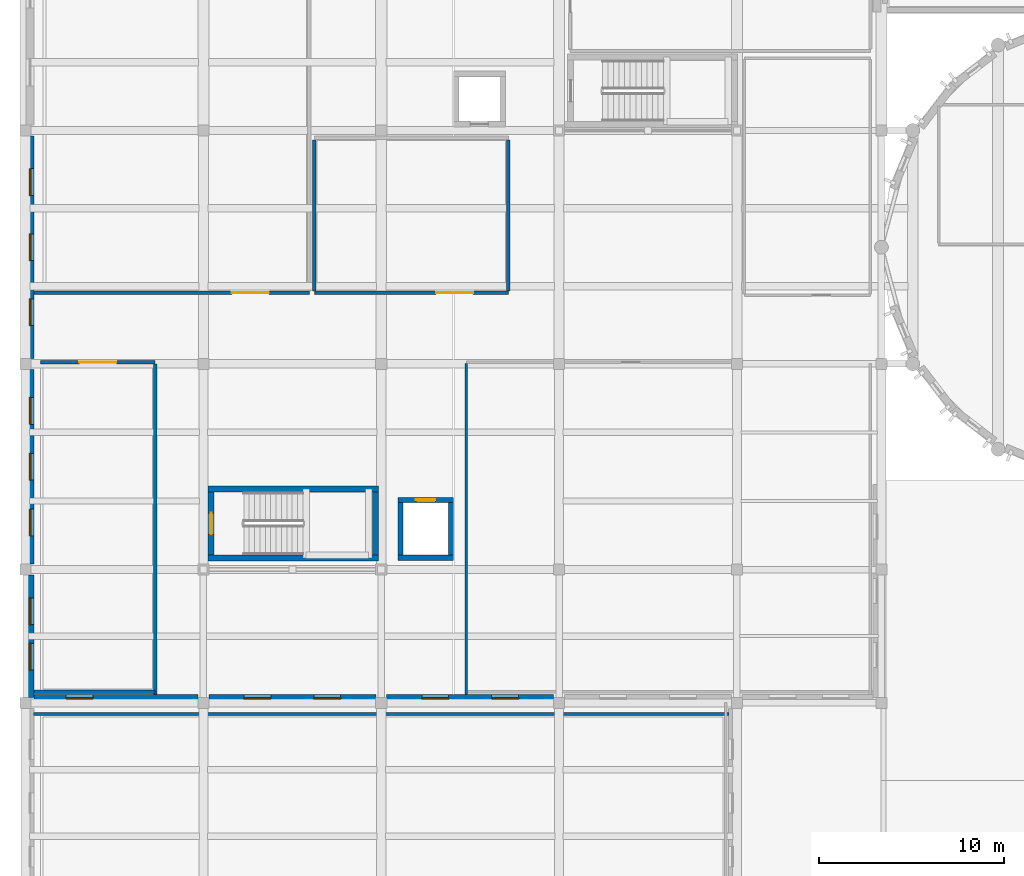
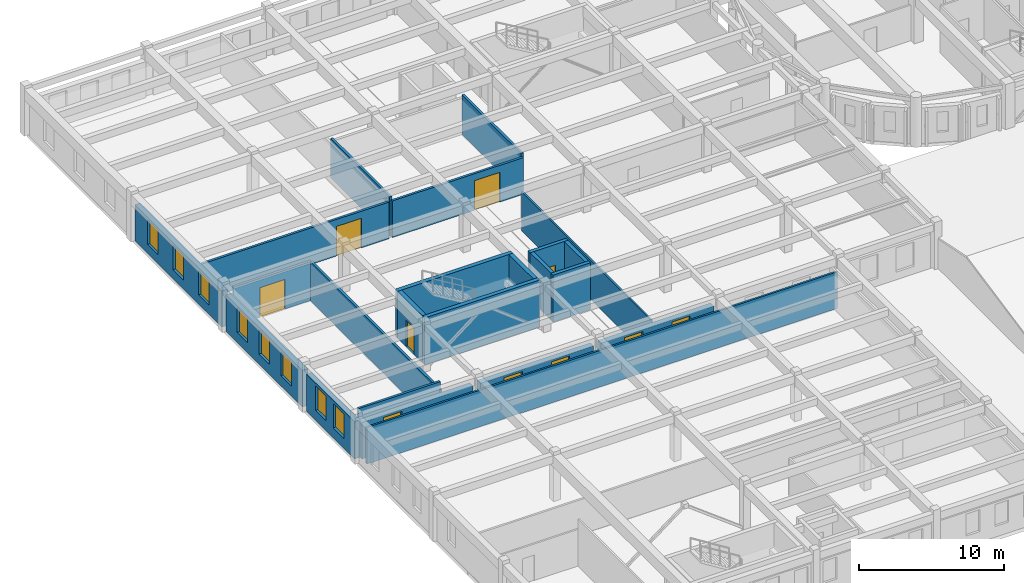
# One storey, part 18 of 46: 23 walls, 13 windows, 5 doors, 18 openings.
"""IFC4 building model written with IfcOpenShell, lengths in metres."""

import ifcopenshell
import ifcopenshell.guid

model = None  # the IFC model being written
_history = None  # IfcOwnerHistory: only IFC2X3 demands one
_inside = {}  # id of a spatial element -> (the spatial element, [elements in it])
_under = {}  # id of a project, library or spatial element -> (it, [spatial elements below it])
_declared = {}  # id of a project -> (the project, [libraries it declares])
_typed = {}  # id of a type object -> (the type object, [elements of that type])
_made_of = {}  # id of a material, layer set ... -> (it, [elements and type objects made of it])


def new_model(schema):
    """Start an empty IFC model of exactly this schema.

    Asked for "IFC4X3", IfcOpenShell would pick the latest addendum, in which some entities
    have other attributes; the version numbers below select the first issue.
    IFC2X3 requires an IfcOwnerHistory on every rooted entity: one is made here for all.
    """
    global model, _history
    if schema == "IFC4X3":
        model = ifcopenshell.file(schema_version=(4, 3, 0, 0))
    else:
        model = ifcopenshell.file(schema=schema)
    _inside.clear()
    _under.clear()
    _declared.clear()
    _typed.clear()
    _made_of.clear()
    _history = None
    if model.schema == "IFC2X3":
        org = make("IfcOrganization", Name="unknown")
        user = make(
            "IfcPersonAndOrganization",
            ThePerson=make("IfcPerson", FamilyName="unknown"),
            TheOrganization=org,
        )
        app = make(
            "IfcApplication",
            ApplicationDeveloper=org,
            Version="unknown",
            ApplicationFullName="unknown",
            ApplicationIdentifier="unknown",
        )
        _history = make(
            "IfcOwnerHistory",
            OwningUser=user,
            OwningApplication=app,
            ChangeAction="ADDED",
            CreationDate=0,
        )
    return model


def make(cls, **values):
    """One entity of the class cls with the attributes given. An attribute that is None is left unset."""
    return model.create_entity(
        cls, **{name: value for name, value in values.items() if value is not None}
    )


def rooted(cls, **values):
    """An entity with a GlobalId (a new one), such as an element, a storey or a relation."""
    return make(cls, GlobalId=ifcopenshell.guid.new(), OwnerHistory=_history, **values)


def si_unit(unit_type, name, prefix=None):
    """IfcSIUnit, for example si_unit("LENGTHUNIT", "METRE", prefix="MILLI")."""
    return make("IfcSIUnit", UnitType=unit_type, Prefix=prefix, Name=name)


def assignment(units):
    """IfcUnitAssignment: the units of a project."""
    return None if units is None else make("IfcUnitAssignment", Units=units)


def point(xyz):
    """IfcCartesianPoint."""
    return None if xyz is None else make("IfcCartesianPoint", Coordinates=xyz)


def direction(xyz):
    """IfcDirection."""
    return None if xyz is None else make("IfcDirection", DirectionRatios=xyz)


def frame(location, z_axis=None, x_axis=None):
    """IfcAxis2Placement3D, a coordinate frame: its origin and axes. An axis left out is left unset."""
    return make(
        "IfcAxis2Placement3D",
        Location=point(location),
        Axis=direction(z_axis),
        RefDirection=direction(x_axis),
    )


def frame_2d(location, x_axis=None):
    """IfcAxis2Placement2D, a coordinate frame in the plane: its origin and x axis."""
    return make(
        "IfcAxis2Placement2D", Location=point(location), RefDirection=direction(x_axis)
    )


def origin():
    """The frame at (0, 0, 0) with its axes left unset."""
    return frame((0.0, 0.0, 0.0))


def place(relative_to, where):
    """IfcLocalPlacement: puts the frame where relative to a parent placement (None: the world)."""
    return make(
        "IfcLocalPlacement", PlacementRelTo=relative_to, RelativePlacement=where
    )


def context(
    kind, dimensions, precision=None, world=None, true_north=None, identifier=None
):
    """IfcGeometricRepresentationContext, for example the 3D "Model" context."""
    return make(
        "IfcGeometricRepresentationContext",
        ContextIdentifier=identifier,
        ContextType=kind,
        CoordinateSpaceDimension=dimensions,
        Precision=precision,
        WorldCoordinateSystem=world,
        TrueNorth=true_north,
    )


def subcontext(parent, identifier, kind, view, scale=None):
    """IfcGeometricRepresentationSubContext, for example "Body" below "Model"."""
    return make(
        "IfcGeometricRepresentationSubContext",
        ContextIdentifier=identifier,
        ContextType=kind,
        ParentContext=parent,
        TargetScale=scale,
        TargetView=view,
    )


def project(units=None, contexts=None):
    """IfcProject with its units and contexts."""
    return rooted(
        "IfcProject",
        Name="project",
        RepresentationContexts=contexts,
        UnitsInContext=assignment(units),
    )


def spatial(cls, under=None, at=None, **own):
    """A site, building, storey or space (cls), placed at a placement, below another one or the project."""
    s = rooted(cls, ObjectPlacement=at, **own)
    if under is not None:
        _under.setdefault(under.id(), (under, []))[1].append(s)
    return s


def profile(cls, at=None, kind="AREA", **sizes):
    """A parametric profile (cls). Its sizes go by their IFC names, for example OverallWidth=200.0."""
    return make(cls, ProfileType=kind, Position=at, **sizes)


def rectangle(**sizes):
    """IfcRectangleProfileDef."""
    return profile("IfcRectangleProfileDef", **sizes)


def extrude(swept, where, along, depth):
    """IfcExtrudedAreaSolid: the profile swept, set in the frame where, extruded along a direction by depth."""
    return make(
        "IfcExtrudedAreaSolid",
        SweptArea=swept,
        Position=where,
        ExtrudedDirection=direction(along),
        Depth=depth,
    )


def shape(context_of_items, identifier, shape_type, items):
    """IfcShapeRepresentation: the items that make up one representation, for example the "Body"."""
    return make(
        "IfcShapeRepresentation",
        ContextOfItems=context_of_items,
        RepresentationIdentifier=identifier,
        RepresentationType=shape_type,
        Items=items,
    )


def material(Name=None, Category=None):
    """IfcMaterial."""
    return make("IfcMaterial", Name=Name, Category=Category)


def layer(
    of_material, thickness, ventilated=None, Name=None, Category=None, Priority=None
):
    """IfcMaterialLayer: one layer of a wall or slab, of a material (None: an air gap)."""
    return make(
        "IfcMaterialLayer",
        Material=of_material,
        LayerThickness=thickness,
        IsVentilated=ventilated,
        Name=Name,
        Category=Category,
        Priority=Priority,
    )


def layer_set(layers, Name=None):
    """IfcMaterialLayerSet."""
    return make("IfcMaterialLayerSet", MaterialLayers=layers, LayerSetName=Name)


def made_of(thing, what):
    """Note that an element or type object is made of a material, layer set ...; save() writes the relation."""
    if what is not None:
        _made_of.setdefault(what.id(), (what, []))[1].append(thing)
    return thing


def type_object(cls, material=None, **own):
    """A type object (cls), such as IfcWallType, which elements share."""
    return made_of(rooted(cls, **own), material)


def element(
    cls,
    number,
    at=None,
    inside=None,
    cuts=None,
    type_object=None,
    material=None,
    context=None,
    identifier="Body",
    shape_type=None,
    held_by="IfcProductDefinitionShape",
    body=None,
    shapes=None,
    **own,
):
    """One element of the class cls, such as IfcWall. Its Tag is "e" and its number.

    at: its placement. inside: the storey or other place that contains it. cuts: it is an
    opening in that element (IfcRelVoidsElement). A single representation is given by context,
    identifier, shape_type and body (its items); several are given by shapes. held_by: the class
    of the entity that holds the representations. save() writes the other relations.
    """
    e = rooted(cls, Tag="e%d" % number, ObjectPlacement=at, **own)
    if body is not None:
        shapes = [shape(context, identifier, shape_type, body)]
    if shapes is not None:
        e.Representation = make(held_by, Representations=shapes)
    if inside is not None:
        _inside.setdefault(inside.id(), (inside, []))[1].append(e)
    if cuts is not None:
        rooted(
            "IfcRelVoidsElement", RelatingBuildingElement=cuts, RelatedOpeningElement=e
        )
    if type_object is not None:
        _typed.setdefault(type_object.id(), (type_object, []))[1].append(e)
    return made_of(e, material)


def fill(opening, filler):
    """IfcRelFillsElement: the door or window that sits in an opening."""
    return rooted(
        "IfcRelFillsElement",
        RelatingOpeningElement=opening,
        RelatedBuildingElement=filler,
    )


def aggregate(whole, parts):
    """IfcRelAggregates: a whole, such as a stair, and the parts it consists of."""
    return rooted("IfcRelAggregates", RelatingObject=whole, RelatedObjects=parts)


def save(model, path):
    """Write the relations noted so far, then the file.

    IfcRelAggregates (storeys below a building ...), IfcRelContainedInSpatialStructure (elements
    in a storey), IfcRelDefinesByType, IfcRelAssociatesMaterial and IfcRelDeclares: one each for
    every whole, place, type object, material and project.
    """
    for whole, parts in _under.values():
        aggregate(whole, parts)
    for where, things in _inside.values():
        rooted(
            "IfcRelContainedInSpatialStructure",
            RelatedElements=things,
            RelatingStructure=where,
        )
    for kind, things in _typed.values():
        rooted("IfcRelDefinesByType", RelatedObjects=things, RelatingType=kind)
    for what, things in _made_of.values():
        rooted("IfcRelAssociatesMaterial", RelatedObjects=things, RelatingMaterial=what)
    for by, libraries in _declared.values():
        rooted("IfcRelDeclares", RelatingContext=by, RelatedDefinitions=libraries)
    model.write(path)


model = new_model("IFC4")

# Units and contexts
model_context = context("Model", 3, precision=1e-05, world=origin(), true_north=direction((0.0, 1.0)))
body_context = subcontext(model_context, "Body", "Model", "MODEL_VIEW")
ifc_project = project(units=[si_unit("LENGTHUNIT", "METRE"), si_unit("AREAUNIT", "SQUARE_METRE"), si_unit("VOLUMEUNIT", "CUBIC_METRE"), si_unit("PLANEANGLEUNIT", "RADIAN"), si_unit("MASSUNIT", "GRAM", prefix="KILO")], contexts=[model_context])

# Site, building, storey
site_placement = place(None, origin())
site = spatial("IfcSite", under=ifc_project, at=site_placement, CompositionType="ELEMENT")
building_placement = place(site_placement, origin())
building = spatial("IfcBuilding", under=site, at=building_placement, Name="Tarnavel Promenade Courthouse", CompositionType="ELEMENT")
storey_placement = place(building_placement, frame((0.0, 0.0, 14.39990234375)))
storey = spatial("IfcBuildingStorey", under=building, at=storey_placement, Name="L04", CompositionType="ELEMENT", Elevation=14.39990234375)

# Wall
ifc_material_1 = material(Name="Acoustic Insulated Gypsum Stud Partition", Category="gypsum")
ifc_layer_1 = layer(ifc_material_1, 0.14990234375)
ifc_layer_set_1 = layer_set([ifc_layer_1], Name="Acoustic Insulated Gypsum Stud Partition")
wall_type_1 = type_object("IfcWallType", Name="Acoustic Insulated Gypsum Stud Partition WL-LIB-150 (150 mm)", PredefinedType="PARTITIONING", material=ifc_layer_set_1)
wall_1_placement = place(storey_placement, frame((0.43896484375, 66.60009765625, 0.0), z_axis=(0.0, 0.0, 1.0), x_axis=(1.0, 0.0, 0.0)))
element("IfcWall", 1, at=wall_1_placement, inside=storey, type_object=wall_type_1, Name="L04 Rare Constitutional Manuscripts Reading Room Partition 0606", PredefinedType="PARTITIONING", context=body_context, shape_type="SweptSolid", body=[
    extrude(rectangle(XDim=37.52197265625, YDim=0.14990234375, at=frame_2d((18.760986328125, 0.0))), origin(), (0.0, 0.0, 1.0), 3.080078125),
])

# Wall, opening, door
ifc_material_2 = material(Name="Concrete C40/50", Category="concrete")
ifc_layer_2 = layer(ifc_material_2, 0.280029296875)
ifc_layer_set_2 = layer_set([ifc_layer_2], Name="Concrete C40/50")
wall_type_2 = type_object("IfcWallType", Name="Concrete C40/50 WL-SHR-280 (280 mm)", PredefinedType="SHEAR", material=ifc_layer_set_2)
wall_2_placement = place(storey_placement, frame((20.10009765625, 78.159912109375, 0.0), z_axis=(0.0, 0.0, 1.0), x_axis=(1.0, 0.0, 0.0)))
wall_2 = element("IfcWall", 2, at=wall_2_placement, inside=storey, type_object=wall_type_2, Name="L04 L-PUB3 Lift Shaft North Wall", PredefinedType="SHEAR", context=body_context, shape_type="SweptSolid", body=[
    extrude(rectangle(XDim=3.0, YDim=0.280029296875, at=frame_2d((1.5, 0.0))), origin(), (0.0, 0.0, 1.0), 3.960205078125),
])
opening_1_placement = place(wall_2_placement, frame((0.97509765625, 0.0, 0.0)))
opening_1 = element("IfcOpeningElement", 3, at=opening_1_placement, cuts=wall_2, Name="Opening LD-02", PredefinedType="OPENING", context=body_context, shape_type="SweptSolid", body=[
    extrude(rectangle(XDim=1.050048828125, YDim=2.199951171875, at=frame_2d((0.52490234375, 1.10009765625))), frame((0.0, 0.14990234375, 0.0), z_axis=(0.0, -1.0, 0.0), x_axis=(1.0, 0.0, 0.0)), (0.0, 0.0, 1.0), 0.300048828125),
])
ifc_material_3 = material(Name="Brushed Bronze Passenger Lift Landing Sliding Door")
door_type_1 = type_object("IfcDoorType", Name="Brushed Bronze Passenger Lift Landing Sliding Door (LD-PUB-1050x2200)", OperationType="NOTDEFINED", PredefinedType="DOOR", material=ifc_material_3)
door_1_placement = place(opening_1_placement, origin())
door_1 = element("IfcDoor", 4, at=door_1_placement, inside=storey, type_object=door_type_1, Name="L04 L-PUB3 Lift Sliding Landing Door", OperationType="DOUBLE_DOOR_SLIDING", OverallHeight=2.199951171875, OverallWidth=1.050048828125, PredefinedType="DOOR", context=body_context, shape_type="SweptSolid", body=[
    extrude(rectangle(XDim=1.050048828125, YDim=2.199951171875, at=frame_2d((0.52490234375, 1.10009765625))), frame((0.0, 0.02490234375, 0.0), z_axis=(0.0, -1.0, 0.0), x_axis=(1.0, 0.0, 0.0)), (0.0, 0.0, 1.0), 0.050048828125),
])
fill(opening_1, door_1)

# Walls
wall_3_placement = place(storey_placement, frame((23.10009765625, 75.0400390625, 0.0), z_axis=(0.0, 0.0, 1.0), x_axis=(-1.0, 0.0, 0.0)))
element("IfcWall", 5, at=wall_3_placement, inside=storey, type_object=wall_type_2, Name="L04 L-PUB3 Lift Shaft South Wall", PredefinedType="SHEAR", context=body_context, shape_type="SweptSolid", body=[
    extrude(rectangle(XDim=3.0, YDim=0.280029296875, at=frame_2d((1.5, 0.0))), origin(), (0.0, 0.0, 1.0), 3.960205078125),
])
for number, where, z_axis, x_axis, name in (
    (6, (20.239990234375, 75.179931640625, 0.0), (0.0, 0.0, 1.0), (0.0, 1.0, 0.0), "L04 L-PUB3 Lift Shaft West Wall"),
    (7, (22.9599609375, 78.02001953125, 0.0), (0.0, 0.0, 1.0), (0.0, -1.0, 0.0), "L04 L-PUB3 Lift Shaft East Wall"),
):
    element("IfcWall", number, at=place(storey_placement, frame(where, z_axis=z_axis, x_axis=x_axis)), inside=storey, type_object=wall_type_2, Name=name, PredefinedType="SHEAR", context=body_context, shape_type="SweptSolid", body=[
        extrude(rectangle(XDim=2.840087890625, YDim=0.280029296875, at=frame_2d((1.419921875, 0.0))), origin(), (0.0, 0.0, 1.0), 3.960205078125),
    ])
ifc_layer_3 = layer(ifc_material_2, 0.320068359375)
ifc_layer_set_3 = layer_set([ifc_layer_3], Name="Concrete C40/50")
wall_type_3 = type_object("IfcWallType", Name="Concrete C40/50 WL-SHR-320 (320 mm)", PredefinedType="SHEAR", material=ifc_layer_set_3)
for number, where, z_axis, x_axis, name in (
    (8, (9.860107421875, 78.739990234375, 0.0), (0.0, 0.0, 1.0), (1.0, 0.0, 0.0), "L04 ST-04 Shear Core North Wall"),
    (9, (19.0400390625, 75.02001953125, 0.0), (0.0, 0.0, 1.0), (-1.0, 0.0, 0.0), "L04 ST-04 Shear Core South Wall"),
):
    element("IfcWall", number, at=place(storey_placement, frame(where, z_axis=z_axis, x_axis=x_axis)), inside=storey, type_object=wall_type_3, Name=name, PredefinedType="SHEAR", context=body_context, shape_type="SweptSolid", body=[
        extrude(rectangle(XDim=9.179931640625, YDim=0.320068359375, at=frame_2d((4.58984375, 0.0))), origin(), (0.0, 0.0, 1.0), 3.960205078125),
    ])

# Wall, opening, door
wall_4_placement = place(storey_placement, frame((10.02001953125, 75.179931640625, 0.0), z_axis=(0.0, 0.0, 1.0), x_axis=(0.0, 1.0, 0.0)))
wall_4 = element("IfcWall", 10, at=wall_4_placement, inside=storey, type_object=wall_type_3, Name="L04 ST-04 Shear Core West Landing Wall", PredefinedType="SHEAR", context=body_context, shape_type="SweptSolid", body=[
    extrude(rectangle(XDim=3.400146484375, YDim=0.320068359375, at=frame_2d((1.7001953125, 0.0))), origin(), (0.0, 0.0, 1.0), 3.960205078125),
])
opening_2_placement = place(wall_4_placement, frame((1.125, 0.0, 0.0)))
opening_2 = element("IfcOpeningElement", 11, at=opening_2_placement, cuts=wall_4, Name="Opening FD-01", PredefinedType="OPENING", context=body_context, shape_type="SweptSolid", body=[
    extrude(rectangle(XDim=1.14990234375, YDim=2.199951171875, at=frame_2d((0.574951171875, 1.10009765625))), frame((0.0, 0.169921875, 0.0), z_axis=(0.0, -1.0, 0.0), x_axis=(1.0, 0.0, 0.0)), (0.0, 0.0, 1.0), 0.340087890625),
])
ifc_material_4 = material(Name="Steel Fire-Rated Stair Core Door", Category="steel")
door_type_2 = type_object("IfcDoorType", Name="Steel Fire-Rated Stair Core Door (DR-ST-1150x2200)", OperationType="NOTDEFINED", PredefinedType="DOOR", material=ifc_material_4)
door_2_placement = place(opening_2_placement, origin())
door_2 = element("IfcDoor", 12, at=door_2_placement, inside=storey, type_object=door_type_2, Name="L04 ST-04 Protected Exit Stair Door", OperationType="SINGLE_SWING_RIGHT", OverallHeight=2.199951171875, OverallWidth=1.14990234375, PredefinedType="DOOR", context=body_context, shape_type="SweptSolid", body=[
    extrude(rectangle(XDim=1.14990234375, YDim=2.199951171875, at=frame_2d((0.574951171875, 1.10009765625))), frame((0.0, 0.02490234375, 0.0), z_axis=(0.0, -1.0, 0.0), x_axis=(1.0, 0.0, 0.0)), (0.0, 0.0, 1.0), 0.050048828125),
])
fill(opening_2, door_2)

# Wall
wall_5_placement = place(storey_placement, frame((18.8798828125, 78.580078125, 0.0), z_axis=(0.0, 0.0, 1.0), x_axis=(0.0, -1.0, 0.0)))
element("IfcWall", 13, at=wall_5_placement, inside=storey, type_object=wall_type_3, Name="L04 ST-04 Shear Core East Wall", PredefinedType="SHEAR", context=body_context, shape_type="SweptSolid", body=[
    extrude(rectangle(XDim=3.400146484375, YDim=0.320068359375, at=frame_2d((1.7001953125, 0.0))), origin(), (0.0, 0.0, 1.0), 3.960205078125),
])

# Wall, opening, door
ifc_material_5 = material(Name="Double-Stud Acoustic Courtroom Partition Assembly", Category="gypsum")
ifc_layer_4 = layer(ifc_material_5, 0.18505859375)
ifc_layer_set_4 = layer_set([ifc_layer_4], Name="Double-Stud Acoustic Courtroom Partition Assembly")
wall_type_4 = type_object("IfcWallType", Name="Double-Stud Acoustic Courtroom Partition Assembly WL-CRT-185 (185 mm)", PredefinedType="PARTITIONING", material=ifc_layer_set_4)
wall_6_placement = place(storey_placement, frame((15.31396484375, 89.340087890625, 0.0), z_axis=(0.0, 0.0, 1.0), x_axis=(-1.0, 0.0, 0.0)))
wall_6 = element("IfcWall", 14, at=wall_6_placement, inside=storey, type_object=wall_type_4, Name="L04 Administrative Law Courtroom A Partition 0586", PredefinedType="PARTITIONING", context=body_context, shape_type="SweptSolid", body=[
    extrude(rectangle(XDim=14.85986328125, YDim=0.18505859375, at=frame_2d((7.429931640625, 0.0))), origin(), (0.0, 0.0, 1.0), 3.090087890625),
])
opening_3_placement = place(wall_6_placement, frame((2.174072265625, 0.0, 0.0)))
opening_3 = element("IfcOpeningElement", 15, at=opening_3_placement, cuts=wall_6, Name="Opening ID-01", PredefinedType="OPENING", context=body_context, shape_type="SweptSolid", body=[
    extrude(rectangle(XDim=2.0, YDim=2.5, at=frame_2d((1.0, 1.25))), frame((0.0, 0.1025390625, 0.0), z_axis=(0.0, -1.0, 0.0), x_axis=(1.0, 0.0, 0.0)), (0.0, 0.0, 1.0), 0.205078125),
])
ifc_material_6 = material(Name="Solid Oak Acoustic Courtroom Double Door")
door_type_3 = type_object("IfcDoorType", Name="Solid Oak Acoustic Courtroom Double Door (DR-CRT-2000x2500)", OperationType="NOTDEFINED", PredefinedType="DOOR", material=ifc_material_6)
door_3_placement = place(opening_3_placement, origin())
door_3 = element("IfcDoor", 16, at=door_3_placement, inside=storey, type_object=door_type_3, Name="L04 Administrative Law Courtroom A Door 0167", OperationType="DOUBLE_DOOR_SINGLE_SWING", OverallHeight=2.5, OverallWidth=2.0, PredefinedType="DOOR", context=body_context, shape_type="SweptSolid", body=[
    extrude(rectangle(XDim=2.0, YDim=2.5, at=frame_2d((1.0, 1.25))), frame((0.0, 0.02490234375, 0.0), z_axis=(0.0, -1.0, 0.0), x_axis=(1.0, 0.0, 0.0)), (0.0, 0.0, 1.0), 0.050048828125),
])
fill(opening_3, door_3)

wall_7_placement = place(storey_placement, frame((26.06005859375, 89.340087890625, 0.0), z_axis=(0.0, 0.0, 1.0), x_axis=(-1.0, 0.0, 0.0)))
wall_7 = element("IfcWall", 17, at=wall_7_placement, inside=storey, type_object=wall_type_4, Name="L04 Administrative Law Courtroom B Partition 0589", PredefinedType="PARTITIONING", context=body_context, shape_type="SweptSolid", body=[
    extrude(rectangle(XDim=10.466064453125, YDim=0.18505859375, at=frame_2d((5.23291015625, 0.0))), origin(), (0.0, 0.0, 1.0), 3.090087890625),
])
opening_4_placement = place(wall_7_placement, frame((1.9033203125, 0.0, 0.0)))
opening_4 = element("IfcOpeningElement", 18, at=opening_4_placement, cuts=wall_7, Name="Opening ID-01", PredefinedType="OPENING", context=body_context, shape_type="SweptSolid", body=[
    extrude(rectangle(XDim=2.0, YDim=2.5, at=frame_2d((1.0, 1.25))), frame((0.0, 0.1025390625, 0.0), z_axis=(0.0, -1.0, 0.0), x_axis=(1.0, 0.0, 0.0)), (0.0, 0.0, 1.0), 0.205078125),
])
door_4_placement = place(opening_4_placement, origin())
door_4 = element("IfcDoor", 19, at=door_4_placement, inside=storey, type_object=door_type_3, Name="L04 Administrative Law Courtroom B Door 0168", OperationType="DOUBLE_DOOR_SINGLE_SWING", OverallHeight=2.5, OverallWidth=2.0, PredefinedType="DOOR", context=body_context, shape_type="SweptSolid", body=[
    extrude(rectangle(XDim=2.0, YDim=2.5, at=frame_2d((1.0, 1.25))), frame((0.0, 0.02490234375, 0.0), z_axis=(0.0, -1.0, 0.0), x_axis=(1.0, 0.0, 0.0)), (0.0, 0.0, 1.0), 0.050048828125),
])
fill(opening_4, door_4)

# Walls
for number, where, z_axis, x_axis, name in (
    (20, (15.593994140625, 89.4423828125, 0.0), (0.0, 0.0, 1.0), (0.0, 1.0, 0.0), "L04 Administrative Law Courtroom B Partition 0590"),
    (21, (26.06005859375, 97.597412109375, 0.0), (0.0, 0.0, 1.0), (0.0, -1.0, 0.0), "L04 Administrative Law Courtroom B Partition 0591"),
):
    element("IfcWall", number, at=place(storey_placement, frame(where, z_axis=z_axis, x_axis=x_axis)), inside=storey, type_object=wall_type_4, Name=name, PredefinedType="PARTITIONING", context=body_context, shape_type="SweptSolid", body=[
        extrude(rectangle(XDim=8.155029296875, YDim=0.18505859375, at=frame_2d((4.07763671875, 0.0))), origin(), (0.0, 0.0, 1.0), 3.340087890625),
    ])

# Wall, opening, door
wall_8_placement = place(storey_placement, frame((0.800048828125, 85.60009765625, 0.0), z_axis=(0.0, 0.0, 1.0), x_axis=(1.0, 0.0, 0.0)))
wall_8 = element("IfcWall", 22, at=wall_8_placement, inside=storey, type_object=wall_type_4, Name="L04 Family and Juvenile Hearing Courtroom Partition 0599", PredefinedType="PARTITIONING", context=body_context, shape_type="SweptSolid", body=[
    extrude(rectangle(XDim=6.199951171875, YDim=0.18505859375, at=frame_2d((3.10009765625, 0.0))), origin(), (0.0, 0.0, 1.0), 3.2900390625),
])
opening_5_placement = place(wall_8_placement, frame((2.10009765625, 0.0, 0.0)))
opening_5 = element("IfcOpeningElement", 23, at=opening_5_placement, cuts=wall_8, Name="Opening ID-01", PredefinedType="OPENING", context=body_context, shape_type="SweptSolid", body=[
    extrude(rectangle(XDim=2.0, YDim=2.5, at=frame_2d((1.0, 1.25))), frame((0.0, 0.1025390625, 0.0), z_axis=(0.0, -1.0, 0.0), x_axis=(1.0, 0.0, 0.0)), (0.0, 0.0, 1.0), 0.205078125),
])
door_5_placement = place(opening_5_placement, origin())
door_5 = element("IfcDoor", 24, at=door_5_placement, inside=storey, type_object=door_type_3, Name="L04 Family and Juvenile Hearing Courtroom Door 0171", OperationType="DOUBLE_DOOR_SINGLE_SWING", OverallHeight=2.5, OverallWidth=2.0, PredefinedType="DOOR", context=body_context, shape_type="SweptSolid", body=[
    extrude(rectangle(XDim=2.0, YDim=2.5, at=frame_2d((1.0, 1.25))), frame((0.0, 0.02490234375, 0.0), z_axis=(0.0, -1.0, 0.0), x_axis=(1.0, 0.0, 0.0)), (0.0, 0.0, 1.0), 0.050048828125),
])
fill(opening_5, door_5)

# Walls
wall_9_placement = place(storey_placement, frame((7.0, 67.800048828125, 0.0), z_axis=(0.0, 0.0, 1.0), x_axis=(-1.0, 0.0, 0.0)))
element("IfcWall", 25, at=wall_9_placement, inside=storey, type_object=wall_type_4, Name="L04 Family and Juvenile Hearing Courtroom Partition 0600", PredefinedType="PARTITIONING", context=body_context, shape_type="SweptSolid", body=[
    extrude(rectangle(XDim=6.5458984375, YDim=0.18505859375, at=frame_2d((3.27294921875, 0.0))), origin(), (0.0, 0.0, 1.0), 3.945068359375),
])
wall_10_placement = place(storey_placement, frame((7.0, 85.49755859375, 0.0), z_axis=(0.0, 0.0, 1.0), x_axis=(0.0, -1.0, 0.0)))
element("IfcWall", 26, at=wall_10_placement, inside=storey, type_object=wall_type_4, Name="L04 Family and Juvenile Hearing Courtroom Partition 0601", PredefinedType="PARTITIONING", context=body_context, shape_type="SweptSolid", body=[
    extrude(rectangle(XDim=17.843505859375, YDim=0.18505859375, at=frame_2d((8.921875, 0.0))), origin(), (0.0, 0.0, 1.0), 3.2900390625),
])

# Wall, openings, windows
ifc_material_7 = material(Name="Limestone Ashlar Faced Insulated Brick Masonry", Category="masonry")
ifc_layer_5 = layer(ifc_material_7, 0.43994140625)
ifc_layer_set_5 = layer_set([ifc_layer_5], Name="Limestone Ashlar Faced Insulated Brick Masonry")
wall_type_5 = type_object("IfcWallType", Name="Limestone Ashlar Faced Insulated Brick Masonry WL-EXT-440 (440 mm)", PredefinedType="STANDARD", material=ifc_layer_set_5)
wall_11_placement = place(storey_placement, frame((0.239990234375, 67.491943359375, 0.0), z_axis=(0.0, 0.0, 1.0), x_axis=(0.0, 1.0, 0.0)))
wall_11 = element("IfcWall", 27, at=wall_11_placement, inside=storey, type_object=wall_type_5, Name="L04 Trial Wing West Ashlar Facade 0304", PredefinedType="STANDARD", context=body_context, shape_type="SweptSolid", body=[
    extrude(rectangle(XDim=6.615966796875, YDim=0.43994140625, at=frame_2d((3.30810546875, 0.0))), origin(), (0.0, 0.0, 1.0), 3.14013671875),
])
opening_6_placement = place(wall_11_placement, frame((1.47802734375, 0.0, 0.85009765625)))
opening_6 = element("IfcOpeningElement", 28, at=opening_6_placement, cuts=wall_11, Name="Opening W-03", PredefinedType="OPENING", context=body_context, shape_type="SweptSolid", body=[
    extrude(rectangle(XDim=1.449951171875, YDim=2.050048828125, at=frame_2d((0.72509765625, 1.02490234375))), frame((0.0, 0.22998046875, 0.0), z_axis=(0.0, -1.0, 0.0), x_axis=(1.0, 0.0, 0.0)), (0.0, 0.0, 1.0), 0.4599609375),
])
opening_7_placement = place(wall_11_placement, frame((3.927978515625, 0.0, 0.85009765625)))
opening_7 = element("IfcOpeningElement", 29, at=opening_7_placement, cuts=wall_11, Name="Opening W-03", PredefinedType="OPENING", context=body_context, shape_type="SweptSolid", body=[
    extrude(rectangle(XDim=1.449951171875, YDim=2.050048828125, at=frame_2d((0.72509765625, 1.02490234375))), frame((0.0, 0.22998046875, 0.0), z_axis=(0.0, -1.0, 0.0), x_axis=(1.0, 0.0, 0.0)), (0.0, 0.0, 1.0), 0.4599609375),
])
ifc_material_8 = material(Name="Triple Low-E Glazed Bronze-Clad Window Assembly")
window_type = type_object("IfcWindowType", Name="Triple-Glazed Bronze-Clad Timber-Aluminium WIN-APP-1450x2050", PartitioningType="SINGLE_PANEL", PredefinedType="WINDOW", material=ifc_material_8)
window_1_placement = place(opening_6_placement, origin())
window_1 = element("IfcWindow", 30, at=window_1_placement, inside=storey, type_object=window_type, Name="L04 Exterior Window 0310", OverallHeight=2.050048828125, OverallWidth=1.449951171875, PartitioningType="SINGLE_PANEL", PredefinedType="WINDOW", context=body_context, shape_type="SweptSolid", body=[
    extrude(rectangle(XDim=1.449951171875, YDim=2.050048828125, at=frame_2d((0.72509765625, 1.02490234375))), frame((0.0, 0.030029296875, 0.0), z_axis=(0.0, -1.0, 0.0), x_axis=(1.0, 0.0, 0.0)), (0.0, 0.0, 1.0), 0.06005859375),
])
fill(opening_6, window_1)
window_2_placement = place(opening_7_placement, origin())
window_2 = element("IfcWindow", 31, at=window_2_placement, inside=storey, type_object=window_type, Name="L04 Exterior Window 0311", OverallHeight=2.050048828125, OverallWidth=1.449951171875, PartitioningType="SINGLE_PANEL", PredefinedType="WINDOW", context=body_context, shape_type="SweptSolid", body=[
    extrude(rectangle(XDim=1.449951171875, YDim=2.050048828125, at=frame_2d((0.72509765625, 1.02490234375))), frame((0.0, 0.030029296875, 0.0), z_axis=(0.0, -1.0, 0.0), x_axis=(1.0, 0.0, 0.0)), (0.0, 0.0, 1.0), 0.06005859375),
])
fill(opening_7, window_2)

wall_12_placement = place(storey_placement, frame((0.239990234375, 74.69189453125, 0.0), z_axis=(0.0, 0.0, 1.0), x_axis=(0.0, 1.0, 0.0)))
wall_12 = element("IfcWall", 32, at=wall_12_placement, inside=storey, type_object=wall_type_5, Name="L04 Trial Wing West Ashlar Facade 0305", PredefinedType="STANDARD", context=body_context, shape_type="SweptSolid", body=[
    extrude(rectangle(XDim=10.51611328125, YDim=0.43994140625, at=frame_2d((5.258056640625, 0.0))), origin(), (0.0, 0.0, 1.0), 3.090087890625),
])
opening_8_placement = place(wall_12_placement, frame((1.519775390625, 0.0, 0.85009765625)))
opening_8 = element("IfcOpeningElement", 33, at=opening_8_placement, cuts=wall_12, Name="Opening W-03", PredefinedType="OPENING", context=body_context, shape_type="SweptSolid", body=[
    extrude(rectangle(XDim=1.449951171875, YDim=2.050048828125, at=frame_2d((0.72509765625, 1.02490234375))), frame((0.0, 0.22998046875, 0.0), z_axis=(0.0, -1.0, 0.0), x_axis=(1.0, 0.0, 0.0)), (0.0, 0.0, 1.0), 0.4599609375),
])
opening_9_placement = place(wall_12_placement, frame((4.532958984375, 0.0, 0.85009765625)))
opening_9 = element("IfcOpeningElement", 34, at=opening_9_placement, cuts=wall_12, Name="Opening W-03", PredefinedType="OPENING", context=body_context, shape_type="SweptSolid", body=[
    extrude(rectangle(XDim=1.449951171875, YDim=2.050048828125, at=frame_2d((0.72509765625, 1.02490234375))), frame((0.0, 0.22998046875, 0.0), z_axis=(0.0, -1.0, 0.0), x_axis=(1.0, 0.0, 0.0)), (0.0, 0.0, 1.0), 0.4599609375),
])
opening_10_placement = place(wall_12_placement, frame((7.54638671875, 0.0, 0.85009765625)))
opening_10 = element("IfcOpeningElement", 35, at=opening_10_placement, cuts=wall_12, Name="Opening W-03", PredefinedType="OPENING", context=body_context, shape_type="SweptSolid", body=[
    extrude(rectangle(XDim=1.449951171875, YDim=2.050048828125, at=frame_2d((0.72509765625, 1.02490234375))), frame((0.0, 0.22998046875, 0.0), z_axis=(0.0, -1.0, 0.0), x_axis=(1.0, 0.0, 0.0)), (0.0, 0.0, 1.0), 0.4599609375),
])
window_3_placement = place(opening_8_placement, origin())
window_3 = element("IfcWindow", 36, at=window_3_placement, inside=storey, type_object=window_type, Name="L04 Exterior Window 0312", OverallHeight=2.050048828125, OverallWidth=1.449951171875, PartitioningType="SINGLE_PANEL", PredefinedType="WINDOW", context=body_context, shape_type="SweptSolid", body=[
    extrude(rectangle(XDim=1.449951171875, YDim=2.050048828125, at=frame_2d((0.72509765625, 1.02490234375))), frame((0.0, 0.030029296875, 0.0), z_axis=(0.0, -1.0, 0.0), x_axis=(1.0, 0.0, 0.0)), (0.0, 0.0, 1.0), 0.06005859375),
])
fill(opening_8, window_3)
window_4_placement = place(opening_9_placement, origin())
window_4 = element("IfcWindow", 37, at=window_4_placement, inside=storey, type_object=window_type, Name="L04 Exterior Window 0313", OverallHeight=2.050048828125, OverallWidth=1.449951171875, PartitioningType="SINGLE_PANEL", PredefinedType="WINDOW", context=body_context, shape_type="SweptSolid", body=[
    extrude(rectangle(XDim=1.449951171875, YDim=2.050048828125, at=frame_2d((0.72509765625, 1.02490234375))), frame((0.0, 0.030029296875, 0.0), z_axis=(0.0, -1.0, 0.0), x_axis=(1.0, 0.0, 0.0)), (0.0, 0.0, 1.0), 0.06005859375),
])
fill(opening_9, window_4)
window_5_placement = place(opening_10_placement, origin())
window_5 = element("IfcWindow", 38, at=window_5_placement, inside=storey, type_object=window_type, Name="L04 Exterior Window 0314", OverallHeight=2.050048828125, OverallWidth=1.449951171875, PartitioningType="SINGLE_PANEL", PredefinedType="WINDOW", context=body_context, shape_type="SweptSolid", body=[
    extrude(rectangle(XDim=1.449951171875, YDim=2.050048828125, at=frame_2d((0.72509765625, 1.02490234375))), frame((0.0, 0.030029296875, 0.0), z_axis=(0.0, -1.0, 0.0), x_axis=(1.0, 0.0, 0.0)), (0.0, 0.0, 1.0), 0.06005859375),
])
fill(opening_10, window_5)

wall_13_placement = place(storey_placement, frame((0.239990234375, 85.7919921875, 0.0), z_axis=(0.0, 0.0, 1.0), x_axis=(0.0, 1.0, 0.0)))
wall_13 = element("IfcWall", 39, at=wall_13_placement, inside=storey, type_object=wall_type_5, Name="L04 Trial Wing West Ashlar Facade 0306", PredefinedType="STANDARD", context=body_context, shape_type="SweptSolid", body=[
    extrude(rectangle(XDim=12.01611328125, YDim=0.43994140625, at=frame_2d((6.008056640625, 0.0))), origin(), (0.0, 0.0, 1.0), 3.0400390625),
])
opening_11_placement = place(wall_13_placement, frame((1.769775390625, 0.0, 0.77001953125)))
opening_11 = element("IfcOpeningElement", 40, at=opening_11_placement, cuts=wall_13, Name="Opening W-03", PredefinedType="OPENING", context=body_context, shape_type="SweptSolid", body=[
    extrude(rectangle(XDim=1.449951171875, YDim=2.050048828125, at=frame_2d((0.72509765625, 1.02490234375))), frame((0.0, 0.22998046875, 0.0), z_axis=(0.0, -1.0, 0.0), x_axis=(1.0, 0.0, 0.0)), (0.0, 0.0, 1.0), 0.4599609375),
])
opening_12_placement = place(wall_13_placement, frame((5.282958984375, 0.0, 0.77001953125)))
opening_12 = element("IfcOpeningElement", 41, at=opening_12_placement, cuts=wall_13, Name="Opening W-03", PredefinedType="OPENING", context=body_context, shape_type="SweptSolid", body=[
    extrude(rectangle(XDim=1.449951171875, YDim=2.050048828125, at=frame_2d((0.72509765625, 1.02490234375))), frame((0.0, 0.22998046875, 0.0), z_axis=(0.0, -1.0, 0.0), x_axis=(1.0, 0.0, 0.0)), (0.0, 0.0, 1.0), 0.4599609375),
])
opening_13_placement = place(wall_13_placement, frame((8.79638671875, 0.0, 0.77001953125)))
opening_13 = element("IfcOpeningElement", 42, at=opening_13_placement, cuts=wall_13, Name="Opening W-03", PredefinedType="OPENING", context=body_context, shape_type="SweptSolid", body=[
    extrude(rectangle(XDim=1.449951171875, YDim=2.050048828125, at=frame_2d((0.72509765625, 1.02490234375))), frame((0.0, 0.22998046875, 0.0), z_axis=(0.0, -1.0, 0.0), x_axis=(1.0, 0.0, 0.0)), (0.0, 0.0, 1.0), 0.4599609375),
])
window_6_placement = place(opening_11_placement, origin())
window_6 = element("IfcWindow", 43, at=window_6_placement, inside=storey, type_object=window_type, Name="L04 Exterior Window 0315", OverallHeight=2.050048828125, OverallWidth=1.449951171875, PartitioningType="SINGLE_PANEL", PredefinedType="WINDOW", context=body_context, shape_type="SweptSolid", body=[
    extrude(rectangle(XDim=1.449951171875, YDim=2.050048828125, at=frame_2d((0.72509765625, 1.02490234375))), frame((0.0, 0.030029296875, 0.0), z_axis=(0.0, -1.0, 0.0), x_axis=(1.0, 0.0, 0.0)), (0.0, 0.0, 1.0), 0.06005859375),
])
fill(opening_11, window_6)
window_7_placement = place(opening_12_placement, origin())
window_7 = element("IfcWindow", 44, at=window_7_placement, inside=storey, type_object=window_type, Name="L04 Exterior Window 0316", OverallHeight=2.050048828125, OverallWidth=1.449951171875, PartitioningType="SINGLE_PANEL", PredefinedType="WINDOW", context=body_context, shape_type="SweptSolid", body=[
    extrude(rectangle(XDim=1.449951171875, YDim=2.050048828125, at=frame_2d((0.72509765625, 1.02490234375))), frame((0.0, 0.030029296875, 0.0), z_axis=(0.0, -1.0, 0.0), x_axis=(1.0, 0.0, 0.0)), (0.0, 0.0, 1.0), 0.06005859375),
])
fill(opening_12, window_7)
window_8_placement = place(opening_13_placement, origin())
window_8 = element("IfcWindow", 45, at=window_8_placement, inside=storey, type_object=window_type, Name="L04 Exterior Window 0317", OverallHeight=2.050048828125, OverallWidth=1.449951171875, PartitioningType="SINGLE_PANEL", PredefinedType="WINDOW", context=body_context, shape_type="SweptSolid", body=[
    extrude(rectangle(XDim=1.449951171875, YDim=2.050048828125, at=frame_2d((0.72509765625, 1.02490234375))), frame((0.0, 0.030029296875, 0.0), z_axis=(0.0, -1.0, 0.0), x_axis=(1.0, 0.0, 0.0)), (0.0, 0.0, 1.0), 0.06005859375),
])
fill(opening_13, window_8)

# Wall, opening, window
wall_14_placement = place(storey_placement, frame((9.30810546875, 67.43994140625, 0.0), z_axis=(0.0, 0.0, 1.0), x_axis=(-1.0, 0.0, 0.0)))
wall_14 = element("IfcWall", 46, at=wall_14_placement, inside=storey, type_object=wall_type_5, Name="L04 Trial Wing Upper South Facade 0308", PredefinedType="STANDARD", context=body_context, shape_type="SweptSolid", body=[
    extrude(rectangle(XDim=8.856201171875, YDim=0.43994140625, at=frame_2d((4.42822265625, 0.0))), origin(), (0.0, 0.0, 1.0), 3.080078125),
])
opening_14_placement = place(wall_14_placement, frame((5.66796875, 0.0, 0.85009765625)))
opening_14 = element("IfcOpeningElement", 47, at=opening_14_placement, cuts=wall_14, Name="Opening W-03", PredefinedType="OPENING", context=body_context, shape_type="SweptSolid", body=[
    extrude(rectangle(XDim=1.449951171875, YDim=2.050048828125, at=frame_2d((0.72509765625, 1.02490234375))), frame((0.0, 0.22998046875, 0.0), z_axis=(0.0, -1.0, 0.0), x_axis=(1.0, 0.0, 0.0)), (0.0, 0.0, 1.0), 0.4599609375),
])
window_9_placement = place(opening_14_placement, origin())
window_9 = element("IfcWindow", 48, at=window_9_placement, inside=storey, type_object=window_type, Name="L04 Exterior Window 0321", OverallHeight=2.050048828125, OverallWidth=1.449951171875, PartitioningType="SINGLE_PANEL", PredefinedType="WINDOW", context=body_context, shape_type="SweptSolid", body=[
    extrude(rectangle(XDim=1.449951171875, YDim=2.050048828125, at=frame_2d((0.72509765625, 1.02490234375))), frame((0.0, 0.030029296875, 0.0), z_axis=(0.0, -1.0, 0.0), x_axis=(1.0, 0.0, 0.0)), (0.0, 0.0, 1.0), 0.06005859375),
])
fill(opening_14, window_9)

# Wall, openings, windows
wall_15_placement = place(storey_placement, frame((18.907958984375, 67.43994140625, 0.0), z_axis=(0.0, 0.0, 1.0), x_axis=(-1.0, 0.0, 0.0)))
wall_15 = element("IfcWall", 49, at=wall_15_placement, inside=storey, type_object=wall_type_5, Name="L04 Trial Wing Upper South Facade 0309", PredefinedType="STANDARD", context=body_context, shape_type="SweptSolid", body=[
    extrude(rectangle(XDim=9.015869140625, YDim=0.43994140625, at=frame_2d((4.5078125, 0.0))), origin(), (0.0, 0.0, 1.0), 3.080078125),
])
opening_15_placement = place(wall_15_placement, frame((1.89794921875, 0.0, 0.85009765625)))
opening_15 = element("IfcOpeningElement", 50, at=opening_15_placement, cuts=wall_15, Name="Opening W-03", PredefinedType="OPENING", context=body_context, shape_type="SweptSolid", body=[
    extrude(rectangle(XDim=1.449951171875, YDim=2.050048828125, at=frame_2d((0.72509765625, 1.02490234375))), frame((0.0, 0.22998046875, 0.0), z_axis=(0.0, -1.0, 0.0), x_axis=(1.0, 0.0, 0.0)), (0.0, 0.0, 1.0), 0.4599609375),
])
opening_16_placement = place(wall_15_placement, frame((5.66796875, 0.0, 0.85009765625)))
opening_16 = element("IfcOpeningElement", 51, at=opening_16_placement, cuts=wall_15, Name="Opening W-03", PredefinedType="OPENING", context=body_context, shape_type="SweptSolid", body=[
    extrude(rectangle(XDim=1.449951171875, YDim=2.050048828125, at=frame_2d((0.72509765625, 1.02490234375))), frame((0.0, 0.22998046875, 0.0), z_axis=(0.0, -1.0, 0.0), x_axis=(1.0, 0.0, 0.0)), (0.0, 0.0, 1.0), 0.4599609375),
])
window_10_placement = place(opening_15_placement, origin())
window_10 = element("IfcWindow", 52, at=window_10_placement, inside=storey, type_object=window_type, Name="L04 Exterior Window 0322", OverallHeight=2.050048828125, OverallWidth=1.449951171875, PartitioningType="SINGLE_PANEL", PredefinedType="WINDOW", context=body_context, shape_type="SweptSolid", body=[
    extrude(rectangle(XDim=1.449951171875, YDim=2.050048828125, at=frame_2d((0.72509765625, 1.02490234375))), frame((0.0, 0.030029296875, 0.0), z_axis=(0.0, -1.0, 0.0), x_axis=(1.0, 0.0, 0.0)), (0.0, 0.0, 1.0), 0.06005859375),
])
fill(opening_15, window_10)
window_11_placement = place(opening_16_placement, origin())
window_11 = element("IfcWindow", 53, at=window_11_placement, inside=storey, type_object=window_type, Name="L04 Exterior Window 0323", OverallHeight=2.050048828125, OverallWidth=1.449951171875, PartitioningType="SINGLE_PANEL", PredefinedType="WINDOW", context=body_context, shape_type="SweptSolid", body=[
    extrude(rectangle(XDim=1.449951171875, YDim=2.050048828125, at=frame_2d((0.72509765625, 1.02490234375))), frame((0.0, 0.030029296875, 0.0), z_axis=(0.0, -1.0, 0.0), x_axis=(1.0, 0.0, 0.0)), (0.0, 0.0, 1.0), 0.06005859375),
])
fill(opening_16, window_11)

wall_16_placement = place(storey_placement, frame((28.508056640625, 67.43994140625, 0.0), z_axis=(0.0, 0.0, 1.0), x_axis=(-1.0, 0.0, 0.0)))
wall_16 = element("IfcWall", 54, at=wall_16_placement, inside=storey, type_object=wall_type_5, Name="L04 Trial Wing Upper South Facade 0310", PredefinedType="STANDARD", context=body_context, shape_type="SweptSolid", body=[
    extrude(rectangle(XDim=9.01611328125, YDim=0.43994140625, at=frame_2d((4.508056640625, 0.0))), origin(), (0.0, 0.0, 1.0), 3.080078125),
])
opening_17_placement = place(wall_16_placement, frame((1.89794921875, 0.0, 0.85009765625)))
opening_17 = element("IfcOpeningElement", 55, at=opening_17_placement, cuts=wall_16, Name="Opening W-03", PredefinedType="OPENING", context=body_context, shape_type="SweptSolid", body=[
    extrude(rectangle(XDim=1.449951171875, YDim=2.050048828125, at=frame_2d((0.72509765625, 1.02490234375))), frame((0.0, 0.22998046875, 0.0), z_axis=(0.0, -1.0, 0.0), x_axis=(1.0, 0.0, 0.0)), (0.0, 0.0, 1.0), 0.4599609375),
])
opening_18_placement = place(wall_16_placement, frame((5.66796875, 0.0, 0.85009765625)))
opening_18 = element("IfcOpeningElement", 56, at=opening_18_placement, cuts=wall_16, Name="Opening W-03", PredefinedType="OPENING", context=body_context, shape_type="SweptSolid", body=[
    extrude(rectangle(XDim=1.449951171875, YDim=2.050048828125, at=frame_2d((0.72509765625, 1.02490234375))), frame((0.0, 0.22998046875, 0.0), z_axis=(0.0, -1.0, 0.0), x_axis=(1.0, 0.0, 0.0)), (0.0, 0.0, 1.0), 0.4599609375),
])
window_12_placement = place(opening_17_placement, origin())
window_12 = element("IfcWindow", 57, at=window_12_placement, inside=storey, type_object=window_type, Name="L04 Exterior Window 0324", OverallHeight=2.050048828125, OverallWidth=1.449951171875, PartitioningType="SINGLE_PANEL", PredefinedType="WINDOW", context=body_context, shape_type="SweptSolid", body=[
    extrude(rectangle(XDim=1.449951171875, YDim=2.050048828125, at=frame_2d((0.72509765625, 1.02490234375))), frame((0.0, 0.030029296875, 0.0), z_axis=(0.0, -1.0, 0.0), x_axis=(1.0, 0.0, 0.0)), (0.0, 0.0, 1.0), 0.06005859375),
])
fill(opening_17, window_12)
window_13_placement = place(opening_18_placement, origin())
window_13 = element("IfcWindow", 58, at=window_13_placement, inside=storey, type_object=window_type, Name="L04 Exterior Window 0325", OverallHeight=2.050048828125, OverallWidth=1.449951171875, PartitioningType="SINGLE_PANEL", PredefinedType="WINDOW", context=body_context, shape_type="SweptSolid", body=[
    extrude(rectangle(XDim=1.449951171875, YDim=2.050048828125, at=frame_2d((0.72509765625, 1.02490234375))), frame((0.0, 0.030029296875, 0.0), z_axis=(0.0, -1.0, 0.0), x_axis=(1.0, 0.0, 0.0)), (0.0, 0.0, 1.0), 0.06005859375),
])
fill(opening_18, window_13)

# Wall
ifc_material_9 = material(Name="Metal-Stud Acoustic Gypsum Partition", Category="gypsum")
ifc_layer_6 = layer(ifc_material_9, 0.135009765625)
ifc_layer_set_6 = layer_set([ifc_layer_6], Name="Metal-Stud Acoustic Gypsum Partition")
wall_type_6 = type_object("IfcWallType", Name="Metal-Stud Acoustic Gypsum Partition WL-OFF-135 (135 mm)", PredefinedType="PARTITIONING", material=ifc_layer_set_6)
wall_17_placement = place(storey_placement, frame((23.800048828125, 67.654052734375, 0.0), z_axis=(0.0, 0.0, 1.0), x_axis=(0.0, 1.0, 0.0)))
element("IfcWall", 59, at=wall_17_placement, inside=storey, type_object=wall_type_6, Name="L04 Probation Officers' Suite Partition 0604", PredefinedType="PARTITIONING", context=body_context, shape_type="SweptSolid", body=[
    extrude(rectangle(XDim=17.868408203125, YDim=0.135009765625, at=frame_2d((8.93408203125, 0.0))), origin(), (0.0, 0.0, 1.0), 3.2900390625),
])

save(model, "model.ifc")
